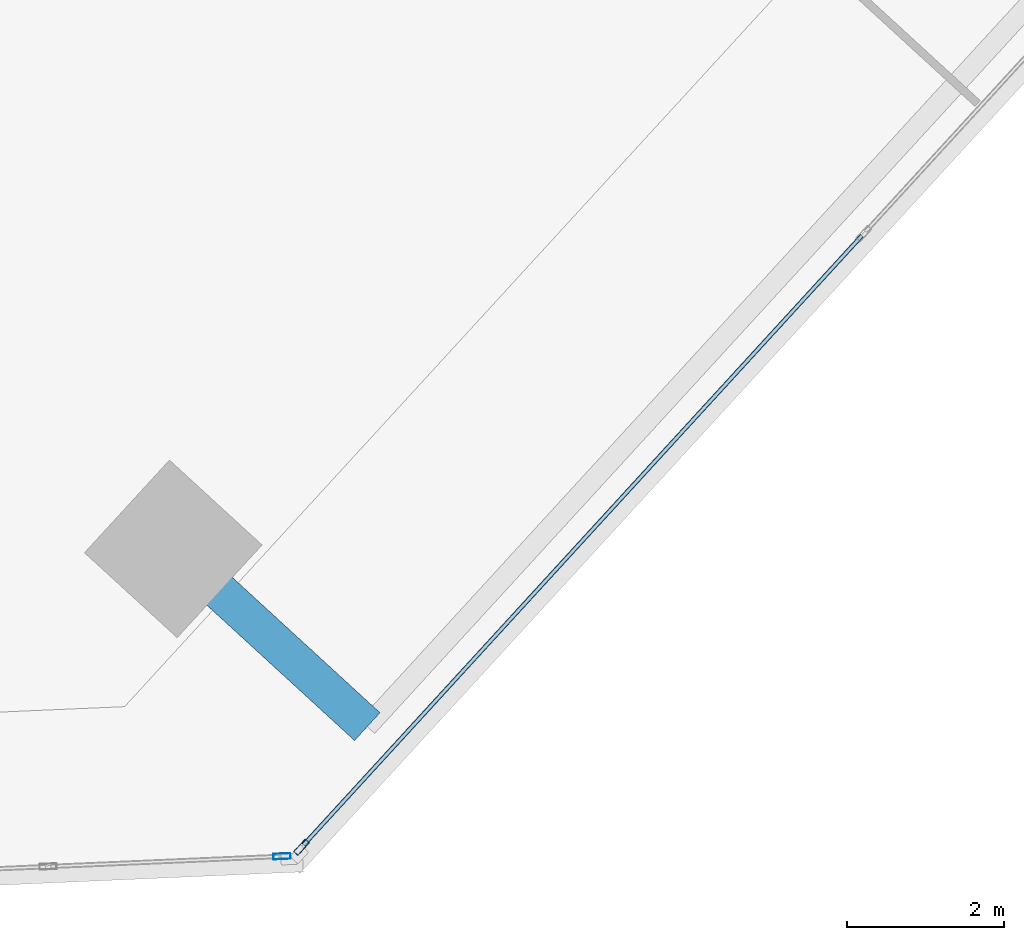
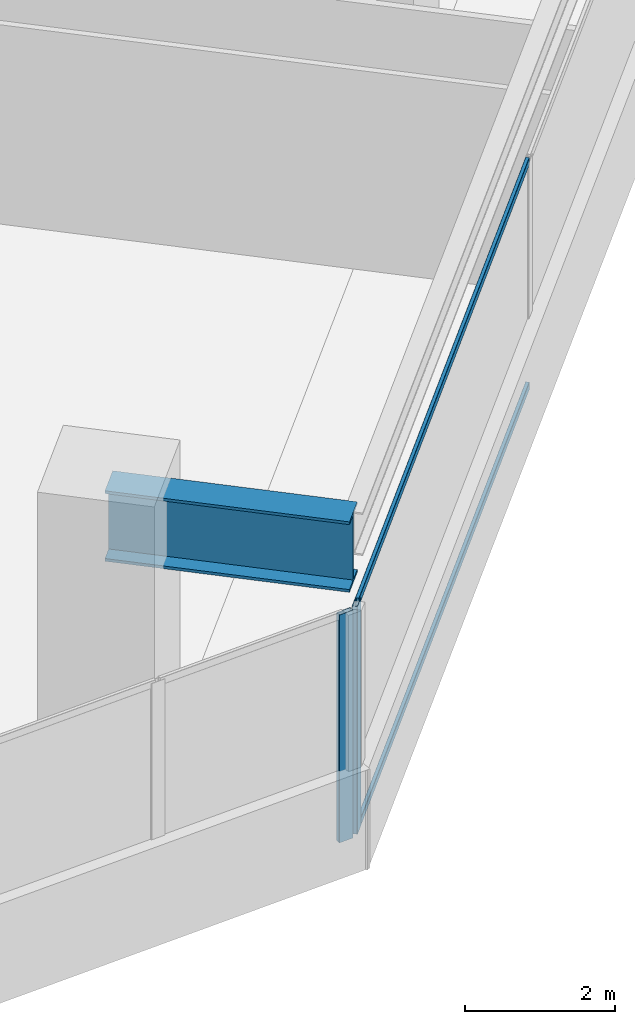
# One storey, part 6 of 19: 4 members, 1 beam, 2 elements without a shape of their own.
"""IFC4 building model written with IfcOpenShell, lengths in metres."""

import ifcopenshell
import ifcopenshell.guid

model = None  # the IFC model being written
_history = None  # IfcOwnerHistory: only IFC2X3 demands one
_inside = {}  # id of a spatial element -> (the spatial element, [elements in it])
_under = {}  # id of a project, library or spatial element -> (it, [spatial elements below it])
_declared = {}  # id of a project -> (the project, [libraries it declares])
_typed = {}  # id of a type object -> (the type object, [elements of that type])
_made_of = {}  # id of a material, layer set ... -> (it, [elements and type objects made of it])


def new_model(schema):
    """Start an empty IFC model of exactly this schema.

    Asked for "IFC4X3", IfcOpenShell would pick the latest addendum, in which some entities
    have other attributes; the version numbers below select the first issue.
    IFC2X3 requires an IfcOwnerHistory on every rooted entity: one is made here for all.
    """
    global model, _history
    if schema == "IFC4X3":
        model = ifcopenshell.file(schema_version=(4, 3, 0, 0))
    else:
        model = ifcopenshell.file(schema=schema)
    _inside.clear()
    _under.clear()
    _declared.clear()
    _typed.clear()
    _made_of.clear()
    _history = None
    if model.schema == "IFC2X3":
        org = make("IfcOrganization", Name="unknown")
        user = make(
            "IfcPersonAndOrganization",
            ThePerson=make("IfcPerson", FamilyName="unknown"),
            TheOrganization=org,
        )
        app = make(
            "IfcApplication",
            ApplicationDeveloper=org,
            Version="unknown",
            ApplicationFullName="unknown",
            ApplicationIdentifier="unknown",
        )
        _history = make(
            "IfcOwnerHistory",
            OwningUser=user,
            OwningApplication=app,
            ChangeAction="ADDED",
            CreationDate=0,
        )
    return model


def make(cls, **values):
    """One entity of the class cls with the attributes given. An attribute that is None is left unset."""
    return model.create_entity(
        cls, **{name: value for name, value in values.items() if value is not None}
    )


def rooted(cls, **values):
    """An entity with a GlobalId (a new one), such as an element, a storey or a relation."""
    return make(cls, GlobalId=ifcopenshell.guid.new(), OwnerHistory=_history, **values)


def si_unit(unit_type, name, prefix=None):
    """IfcSIUnit, for example si_unit("LENGTHUNIT", "METRE", prefix="MILLI")."""
    return make("IfcSIUnit", UnitType=unit_type, Prefix=prefix, Name=name)


def assignment(units):
    """IfcUnitAssignment: the units of a project."""
    return None if units is None else make("IfcUnitAssignment", Units=units)


def point(xyz):
    """IfcCartesianPoint."""
    return None if xyz is None else make("IfcCartesianPoint", Coordinates=xyz)


def direction(xyz):
    """IfcDirection."""
    return None if xyz is None else make("IfcDirection", DirectionRatios=xyz)


def frame(location, z_axis=None, x_axis=None):
    """IfcAxis2Placement3D, a coordinate frame: its origin and axes. An axis left out is left unset."""
    return make(
        "IfcAxis2Placement3D",
        Location=point(location),
        Axis=direction(z_axis),
        RefDirection=direction(x_axis),
    )


def frame_2d(location, x_axis=None):
    """IfcAxis2Placement2D, a coordinate frame in the plane: its origin and x axis."""
    return make(
        "IfcAxis2Placement2D", Location=point(location), RefDirection=direction(x_axis)
    )


def origin():
    """The frame at (0, 0, 0) with its axes left unset."""
    return frame((0.0, 0.0, 0.0))


def origin_2d():
    """The frame at (0, 0) in the plane with its x axis left unset."""
    return frame_2d((0.0, 0.0))


def place(relative_to, where):
    """IfcLocalPlacement: puts the frame where relative to a parent placement (None: the world)."""
    return make(
        "IfcLocalPlacement", PlacementRelTo=relative_to, RelativePlacement=where
    )


def context(
    kind, dimensions, precision=None, world=None, true_north=None, identifier=None
):
    """IfcGeometricRepresentationContext, for example the 3D "Model" context."""
    return make(
        "IfcGeometricRepresentationContext",
        ContextIdentifier=identifier,
        ContextType=kind,
        CoordinateSpaceDimension=dimensions,
        Precision=precision,
        WorldCoordinateSystem=world,
        TrueNorth=true_north,
    )


def subcontext(parent, identifier, kind, view, scale=None):
    """IfcGeometricRepresentationSubContext, for example "Body" below "Model"."""
    return make(
        "IfcGeometricRepresentationSubContext",
        ContextIdentifier=identifier,
        ContextType=kind,
        ParentContext=parent,
        TargetScale=scale,
        TargetView=view,
    )


def project(units=None, contexts=None):
    """IfcProject with its units and contexts."""
    return rooted(
        "IfcProject",
        Name="project",
        RepresentationContexts=contexts,
        UnitsInContext=assignment(units),
    )


def spatial(cls, under=None, at=None, **own):
    """A site, building, storey or space (cls), placed at a placement, below another one or the project."""
    s = rooted(cls, ObjectPlacement=at, **own)
    if under is not None:
        _under.setdefault(under.id(), (under, []))[1].append(s)
    return s


def profile(cls, at=None, kind="AREA", **sizes):
    """A parametric profile (cls). Its sizes go by their IFC names, for example OverallWidth=200.0."""
    return make(cls, ProfileType=kind, Position=at, **sizes)


def hollow_rectangle(**sizes):
    """IfcRectangleHollowProfileDef."""
    return profile("IfcRectangleHollowProfileDef", **sizes)


def i_section(**sizes):
    """IfcIShapeProfileDef."""
    return profile("IfcIShapeProfileDef", **sizes)


def extrude(swept, where, along, depth):
    """IfcExtrudedAreaSolid: the profile swept, set in the frame where, extruded along a direction by depth."""
    return make(
        "IfcExtrudedAreaSolid",
        SweptArea=swept,
        Position=where,
        ExtrudedDirection=direction(along),
        Depth=depth,
    )


def shape(context_of_items, identifier, shape_type, items):
    """IfcShapeRepresentation: the items that make up one representation, for example the "Body"."""
    return make(
        "IfcShapeRepresentation",
        ContextOfItems=context_of_items,
        RepresentationIdentifier=identifier,
        RepresentationType=shape_type,
        Items=items,
    )


def source(mapping_origin, context_of_items, identifier, shape_type, items):
    """IfcRepresentationMap: a shape defined once, which mapped items show again and again."""
    return make(
        "IfcRepresentationMap",
        MappingOrigin=mapping_origin,
        MappedRepresentation=shape(context_of_items, identifier, shape_type, items),
    )


def transform(
    local_origin,
    x_axis=None,
    y_axis=None,
    z_axis=None,
    scale=None,
    scale2=None,
    scale3=None,
    uniform=True,
):
    """IfcCartesianTransformationOperator3D, or its non-uniform kind. x_axis, y_axis, z_axis: its Axis1, 2, 3."""
    if uniform:
        return make(
            "IfcCartesianTransformationOperator3D",
            Axis1=direction(x_axis),
            Axis2=direction(y_axis),
            LocalOrigin=point(local_origin),
            Scale=scale,
            Axis3=direction(z_axis),
        )
    return make(
        "IfcCartesianTransformationOperator3DnonUniform",
        Axis1=direction(x_axis),
        Axis2=direction(y_axis),
        LocalOrigin=point(local_origin),
        Scale=scale,
        Axis3=direction(z_axis),
        Scale2=scale2,
        Scale3=scale3,
    )


def mapped(mapping_source, mapping_target):
    """IfcMappedItem: shows the shape of a source again, moved by a transform."""
    return make(
        "IfcMappedItem", MappingSource=mapping_source, MappingTarget=mapping_target
    )


def material(Name=None, Category=None):
    """IfcMaterial."""
    return make("IfcMaterial", Name=Name, Category=Category)


def material_profile(
    of_material, cross_section, Name=None, Category=None, Priority=None
):
    """IfcMaterialProfile: a cross section and its material."""
    return make(
        "IfcMaterialProfile",
        Name=Name,
        Material=of_material,
        Profile=cross_section,
        Priority=Priority,
        Category=Category,
    )


def profile_set(profiles, Name=None, composite=None):
    """IfcMaterialProfileSet."""
    return make(
        "IfcMaterialProfileSet",
        Name=Name,
        MaterialProfiles=profiles,
        CompositeProfile=composite,
    )


def made_of(thing, what):
    """Note that an element or type object is made of a material, layer set ...; save() writes the relation."""
    if what is not None:
        _made_of.setdefault(what.id(), (what, []))[1].append(thing)
    return thing


def type_object(cls, material=None, **own):
    """A type object (cls), such as IfcWallType, which elements share."""
    return made_of(rooted(cls, **own), material)


def element(
    cls,
    number,
    at=None,
    inside=None,
    cuts=None,
    type_object=None,
    material=None,
    context=None,
    identifier="Body",
    shape_type=None,
    held_by="IfcProductDefinitionShape",
    body=None,
    shapes=None,
    **own,
):
    """One element of the class cls, such as IfcWall. Its Tag is "e" and its number.

    at: its placement. inside: the storey or other place that contains it. cuts: it is an
    opening in that element (IfcRelVoidsElement). A single representation is given by context,
    identifier, shape_type and body (its items); several are given by shapes. held_by: the class
    of the entity that holds the representations. save() writes the other relations.
    """
    e = rooted(cls, Tag="e%d" % number, ObjectPlacement=at, **own)
    if body is not None:
        shapes = [shape(context, identifier, shape_type, body)]
    if shapes is not None:
        e.Representation = make(held_by, Representations=shapes)
    if inside is not None:
        _inside.setdefault(inside.id(), (inside, []))[1].append(e)
    if cuts is not None:
        rooted(
            "IfcRelVoidsElement", RelatingBuildingElement=cuts, RelatedOpeningElement=e
        )
    if type_object is not None:
        _typed.setdefault(type_object.id(), (type_object, []))[1].append(e)
    return made_of(e, material)


def aggregate(whole, parts):
    """IfcRelAggregates: a whole, such as a stair, and the parts it consists of."""
    return rooted("IfcRelAggregates", RelatingObject=whole, RelatedObjects=parts)


def save(model, path):
    """Write the relations noted so far, then the file.

    IfcRelAggregates (storeys below a building ...), IfcRelContainedInSpatialStructure (elements
    in a storey), IfcRelDefinesByType, IfcRelAssociatesMaterial and IfcRelDeclares: one each for
    every whole, place, type object, material and project.
    """
    for whole, parts in _under.values():
        aggregate(whole, parts)
    for where, things in _inside.values():
        rooted(
            "IfcRelContainedInSpatialStructure",
            RelatedElements=things,
            RelatingStructure=where,
        )
    for kind, things in _typed.values():
        rooted("IfcRelDefinesByType", RelatedObjects=things, RelatingType=kind)
    for what, things in _made_of.values():
        rooted("IfcRelAssociatesMaterial", RelatedObjects=things, RelatingMaterial=what)
    for by, libraries in _declared.values():
        rooted("IfcRelDeclares", RelatingContext=by, RelatedDefinitions=libraries)
    model.write(path)


model = new_model("IFC4")

# Units and contexts
model_context = context("Model", 3, precision=1e-05, world=origin(), true_north=direction((0.0, 1.0)))
body_context = subcontext(model_context, "Body", "Model", "MODEL_VIEW")
ifc_project = project(units=[si_unit("LENGTHUNIT", "METRE"), si_unit("AREAUNIT", "SQUARE_METRE"), si_unit("VOLUMEUNIT", "CUBIC_METRE"), si_unit("PLANEANGLEUNIT", "RADIAN"), si_unit("MASSUNIT", "GRAM", prefix="KILO")], contexts=[model_context])

# Site, building, storey
site_placement = place(None, origin())
site = spatial("IfcSite", under=ifc_project, at=site_placement, CompositionType="ELEMENT")
building_placement = place(site_placement, origin())
building = spatial("IfcBuilding", under=site, at=building_placement, Name="Torre Montelarca", CompositionType="ELEMENT")
storey_placement = place(building_placement, frame((0.0, 0.0, 229.0)))
storey = spatial("IfcBuildingStorey", under=building, at=storey_placement, Name="L51", CompositionType="ELEMENT", Elevation=229.0)

# Beam
ifc_material_1 = material(Name="Steel ASTM A572 Grade 50", Category="steel")
ifc_material_profile_1 = material_profile(ifc_material_1, i_section(OverallWidth=0.47998046875, OverallDepth=1.14990234375, WebThickness=0.02197265625, FlangeThickness=0.044921875, at=origin_2d()), Name="PG1150X480X22X45", Category="steel")
ifc_profile_set_1 = profile_set([ifc_material_profile_1], Name="Steel ASTM A572 Grade 50")
beam_type = type_object("IfcBeamType", Name="BM-CG-PG1400-EXT", PredefinedType="USERDEFINED", material=ifc_profile_set_1)
shared_shape_1 = source(origin(), body_context, "Body", "SweptSolid", [
    extrude(i_section(OverallWidth=0.47998046875, OverallDepth=1.14990234375, WebThickness=0.02197265625, FlangeThickness=0.044921875, at=origin_2d()), origin(), (0.0, 0.0, 1.0), 3.349853515625),
])
beam_placement = place(storey_placement, frame((31.20947265625, 12.252197265625, 3.385009765625), z_axis=(0.737263039421, -0.675605810146, 0.0), x_axis=(0.675605810146, 0.737263039421, 0.0)))
element("IfcBeam", 1, at=beam_placement, inside=storey, type_object=beam_type, Name="L51 Sliding Tray Cantilever Girder East Y=24m (FLR)", ObjectType="CANTILEVER GIRDER", PredefinedType="USERDEFINED", context=body_context, shape_type="MappedRepresentation", body=[
    mapped(shared_shape_1, transform((0.0, 0.0, 0.0), scale=1.0)),
])

# Curtain wall, member
ifc_material_2 = material(Name="Insulated low-E laminated glass", Category="glass")
curtain_wall_type = type_object("IfcCurtainWallType", Name="CW-SYS-Z3", PredefinedType="USERDEFINED", material=ifc_material_2)
curtain_wall_1_placement = place(storey_placement, origin())
curtain_wall_1 = element("IfcCurtainWall", 2, at=curtain_wall_1_placement, inside=storey, type_object=curtain_wall_type, Name="L51 Curtain Wall Run CW-T3-L51-E05-B1", ObjectType="UNITISED GLAZING", PredefinedType="USERDEFINED")
ifc_material_3 = material(Name="Anodised aluminium AA 6063-T6", Category="aluminium")
ifc_material_profile_2 = material_profile(ifc_material_3, hollow_rectangle(XDim=0.074951171875, YDim=0.219970703125, WallThickness=0.0048828125, InnerFilletRadius=0.0048828125, OuterFilletRadius=0.010009765625, at=origin_2d()), Name="ALU75X220X5", Category="aluminium")
ifc_profile_set_2 = profile_set([ifc_material_profile_2], Name="Anodised aluminium AA 6063-T6")
member_type_1 = type_object("IfcMemberType", Name="CWM-ALU220", PredefinedType="MULLION", material=ifc_profile_set_2)
shared_shape_2 = source(origin(), body_context, "Body", "SweptSolid", [
    extrude(hollow_rectangle(XDim=0.074951171875, YDim=0.219970703125, WallThickness=0.0048828125, InnerFilletRadius=0.0048828125, OuterFilletRadius=0.010009765625, at=origin_2d()), origin(), (0.0, 0.0, 1.0), 3.719970703125),
])
member_1_placement = place(storey_placement, frame((32.59228515625, 8.337646484375, 0.0), z_axis=(0.0, 0.0, 1.0), x_axis=(-0.043615635968, 0.999048385364, 0.0)))
member_1 = element("IfcMember", 3, at=member_1_placement, type_object=member_type_1, Name="CW mullion 3", PredefinedType="MULLION", context=body_context, shape_type="MappedRepresentation", body=[
    mapped(shared_shape_2, transform((0.0, 0.0, 0.0), scale=1.0)),
])
aggregate(curtain_wall_1, [member_1])

# Curtain wall, members
curtain_wall_2_placement = place(storey_placement, origin())
curtain_wall_2 = element("IfcCurtainWall", 4, at=curtain_wall_2_placement, inside=storey, type_object=curtain_wall_type, Name="L51 Curtain Wall Run CW-T3-L51-E06-B1", ObjectType="UNITISED GLAZING", PredefinedType="USERDEFINED")
member_2_placement = place(storey_placement, frame((32.8427734375, 8.454345703125, 0.0), z_axis=(0.0, 0.0, 1.0), x_axis=(-0.737277670314, 0.675589843659, 0.0)))
member_2 = element("IfcMember", 5, at=member_2_placement, type_object=member_type_1, Name="CW mullion 1", PredefinedType="MULLION", context=body_context, shape_type="MappedRepresentation", body=[
    mapped(shared_shape_2, transform((0.0, 0.0, 0.0), scale=1.0)),
])
ifc_material_profile_3 = material_profile(ifc_material_3, hollow_rectangle(XDim=0.054931640625, YDim=0.1201171875, WallThickness=0.00341796875, InnerFilletRadius=0.00341796875, OuterFilletRadius=0.007080078125, at=origin_2d()), Name="ALU55X120X3.5", Category="aluminium")
ifc_profile_set_3 = profile_set([ifc_material_profile_3], Name="Anodised aluminium AA 6063-T6")
member_type_2 = type_object("IfcMemberType", Name="CWT-ALU120", PredefinedType="USERDEFINED", material=ifc_profile_set_3)
shared_shape_3 = source(origin(), body_context, "Body", "SweptSolid", [
    extrude(hollow_rectangle(XDim=0.054931640625, YDim=0.1201171875, WallThickness=0.00341796875, InnerFilletRadius=0.00341796875, OuterFilletRadius=0.007080078125, at=origin_2d()), origin(), (0.0, 0.0, 1.0), 10.521484375),
])
member_3_placement = place(storey_placement, frame((32.8681640625, 8.48193359375, 0.027587890625), z_axis=(0.675583816205, 0.737283193408, 0.0), x_axis=(-0.737283193408, 0.675583816205, 0.0)))
member_3 = element("IfcMember", 6, at=member_3_placement, type_object=member_type_2, Name="CW transom 1.1", ObjectType="TRANSOM", PredefinedType="USERDEFINED", context=body_context, shape_type="MappedRepresentation", body=[
    mapped(shared_shape_3, transform((0.0, 0.0, 0.0), scale=1.0)),
])
member_4_placement = place(storey_placement, frame((32.8681640625, 8.48193359375, 3.6923828125), z_axis=(0.675583816205, 0.737283193408, 0.0), x_axis=(-0.737283193408, 0.675583816205, 0.0)))
member_4 = element("IfcMember", 7, at=member_4_placement, type_object=member_type_2, Name="CW transom 1.2", ObjectType="TRANSOM", PredefinedType="USERDEFINED", context=body_context, shape_type="MappedRepresentation", body=[
    mapped(shared_shape_3, transform((0.0, 0.0, 0.0), scale=1.0)),
])
aggregate(curtain_wall_2, [member_2, member_3, member_4])

save(model, "model.ifc")
